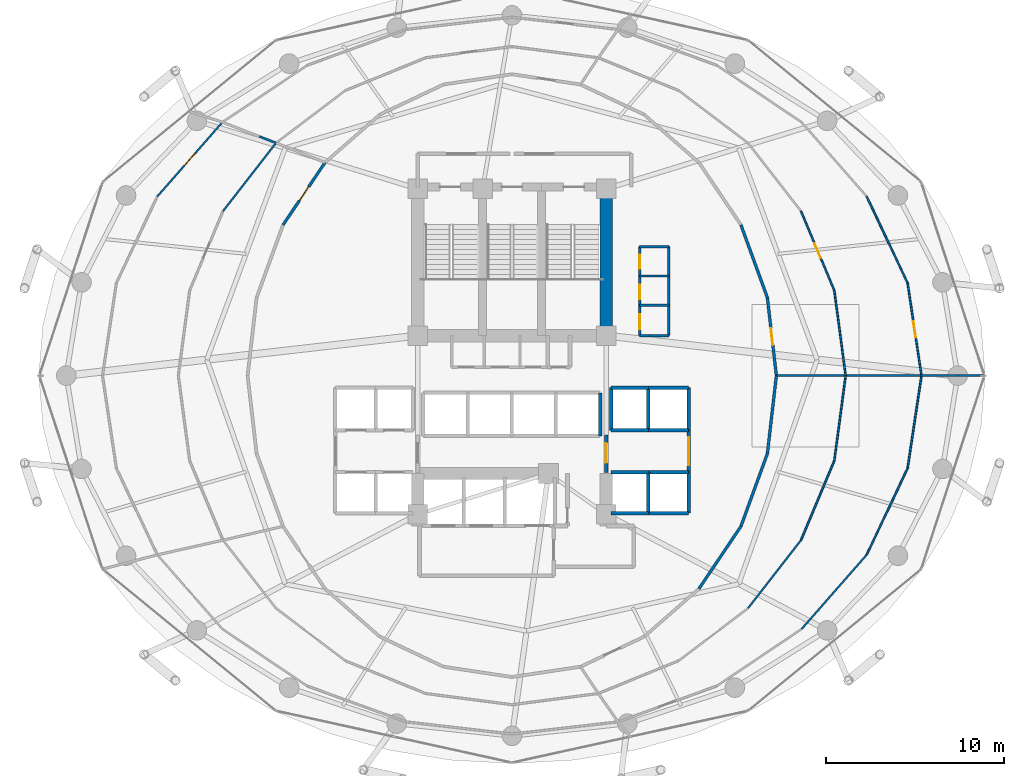
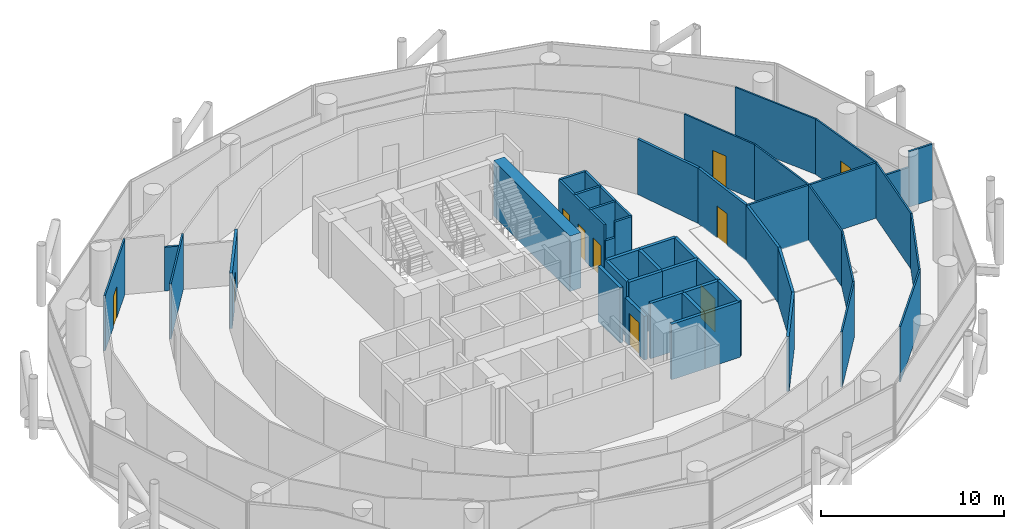
# One storey, part 23 of 27: 47 walls, 10 doors, 10 openings.
"""IFC4 building model written with IfcOpenShell, lengths in metres."""

from ifc_helpers import new_model, si_unit, direction, frame, frame_2d, origin, place, context, subcontext, project, spatial, rectangle, extrude, material, layer, layer_set, type_object, element, fill, save


model = new_model("IFC4")

# Units and contexts
model_context = context("Model", 3, precision=1e-05, world=origin(), true_north=direction((0.0, 1.0)))
body_context = subcontext(model_context, "Body", "Model", "MODEL_VIEW")
ifc_project = project(units=[si_unit("LENGTHUNIT", "METRE"), si_unit("AREAUNIT", "SQUARE_METRE"), si_unit("VOLUMEUNIT", "CUBIC_METRE"), si_unit("PLANEANGLEUNIT", "RADIAN"), si_unit("MASSUNIT", "GRAM", prefix="KILO")], contexts=[model_context])

# Site, building, storey
site_placement = place(None, origin())
site = spatial("IfcSite", under=ifc_project, at=site_placement, CompositionType="ELEMENT")
building_placement = place(site_placement, origin())
building = spatial("IfcBuilding", under=site, at=building_placement, Name="Nuhasar Tower", CompositionType="ELEMENT")
storey_placement = place(building_placement, frame((0.0, 0.0, 102.0)))
storey = spatial("IfcBuildingStorey", under=building, at=storey_placement, Name="L24", CompositionType="ELEMENT", Elevation=102.0)

# Wall
ifc_material_1 = material(Name="Concrete C65/80", Category="concrete")
ifc_layer_1 = layer(ifc_material_1, 0.699951171875)
ifc_layer_set_1 = layer_set([ifc_layer_1], Name="Concrete C65/80")
wall_type_1 = type_object("IfcWallType", Name="WL-CORE-700", PredefinedType="SHEAR", material=ifc_layer_set_1)
wall_1_placement = place(storey_placement, frame((44.300048828125, 29.050048828125, 0.0), z_axis=(0.0, 0.0, 1.0), x_axis=(0.0, 1.0, 0.0)))
element("IfcWall", 1, at=wall_1_placement, inside=storey, type_object=wall_type_1, Name="L24 Core Shear Wall CW-NE CW-700", PredefinedType="SHEAR", context=body_context, shape_type="SweptSolid", body=[
    extrude(rectangle(XDim=8.349853515625, YDim=0.699951171875, at=frame_2d((4.1748046875, 0.0))), origin(), (0.0, 0.0, 1.0), 3.699951171875),
])

# Wall, opening, door
ifc_material_2 = material(Name="Gypsum Board", Category="gypsum")
ifc_layer_2 = layer(ifc_material_2, 0.159912109375)
ifc_layer_set_2 = layer_set([ifc_layer_2], Name="Gypsum Board")
wall_type_2 = type_object("IfcWallType", Name="WL-CORR-160", PredefinedType="PARTITIONING", material=ifc_layer_set_2)
wall_2_placement = place(storey_placement, frame((53.35400390625, 31.18408203125, 0.0), z_axis=(0.0, 0.0, 1.0), x_axis=(0.114680801911, -0.993402392625, 0.0)))
wall_2 = element("IfcWall", 2, at=wall_2_placement, inside=storey, type_object=wall_type_2, Name="L24 Interior Partition CORR-00", PredefinedType="PARTITIONING", context=body_context, shape_type="SweptSolid", body=[
    extrude(rectangle(XDim=4.4130859375, YDim=0.159912109375, at=frame_2d((2.20654296875, 0.0))), origin(), (0.0, 0.0, 1.0), 3.699951171875),
])
opening_1_placement = place(wall_2_placement, frame((1.73193359375, 0.0, 0.0)))
opening_1 = element("IfcOpeningElement", 3, at=opening_1_placement, cuts=wall_2, Name="Opening DO-01", PredefinedType="OPENING", context=body_context, shape_type="SweptSolid", body=[
    extrude(rectangle(XDim=0.949951171875, YDim=2.14990234375, at=frame_2d((0.47509765625, 1.074951171875))), frame((0.0, 0.08984375, 0.0), z_axis=(0.0, -1.0, 0.0), x_axis=(1.0, 0.0, 0.0)), (0.0, 0.0, 1.0), 0.179931640625),
])
ifc_material_3 = material(Name="Timber Oak", Category="wood")
door_type_1 = type_object("IfcDoorType", Name="DR-OFFICE-FD30-950", OperationType="NOTDEFINED", PredefinedType="DOOR", material=ifc_material_3)
door_1_placement = place(opening_1_placement, origin())
door_1 = element("IfcDoor", 4, at=door_1_placement, inside=storey, type_object=door_type_1, Name="L24 Family Office 01 Entry Door", OperationType="SINGLE_SWING_LEFT", OverallHeight=2.14990234375, OverallWidth=0.949951171875, PredefinedType="DOOR", context=body_context, shape_type="SweptSolid", body=[
    extrude(rectangle(XDim=0.949951171875, YDim=2.14990234375, at=frame_2d((0.47509765625, 1.074951171875))), frame((0.0, 0.02490234375, 0.0), z_axis=(0.0, -1.0, 0.0), x_axis=(1.0, 0.0, 0.0)), (0.0, 0.0, 1.0), 0.050048828125),
])
fill(opening_1, door_1)

# Wall
wall_3_placement = place(storey_placement, frame((53.35400390625, 31.18408203125, 0.0), z_axis=(0.0, 0.0, 1.0), x_axis=(-0.341603281562, 0.939844241365, 0.0)))
element("IfcWall", 5, at=wall_3_placement, inside=storey, type_object=wall_type_2, Name="L24 Interior Partition CORR-02", PredefinedType="PARTITIONING", context=body_context, shape_type="SweptSolid", body=[
    extrude(rectangle(XDim=4.347412109375, YDim=0.159912109375, at=frame_2d((2.173828125, 0.0))), origin(), (0.0, 0.0, 1.0), 3.699951171875),
])

# Wall, opening, door
wall_4_placement = place(storey_placement, frame((26.131103515625, 35.27001953125, 0.0), z_axis=(0.0, 0.0, 1.0), x_axis=(0.558319056182, 0.829626320402, 0.0)))
wall_4 = element("IfcWall", 6, at=wall_4_placement, inside=storey, type_object=wall_type_2, Name="L24 Interior Partition CORR-18", PredefinedType="PARTITIONING", context=body_context, shape_type="SweptSolid", body=[
    extrude(rectangle(XDim=4.228515625, YDim=0.159912109375, at=frame_2d((2.1142578125, 0.0))), origin(), (0.0, 0.0, 1.0), 3.699951171875),
])
opening_2_placement = place(wall_4_placement, frame((1.638916015625, 0.0, 0.0)))
opening_2 = element("IfcOpeningElement", 7, at=opening_2_placement, cuts=wall_4, Name="Opening DO-01", PredefinedType="OPENING", context=body_context, shape_type="SweptSolid", body=[
    extrude(rectangle(XDim=0.949951171875, YDim=2.14990234375, at=frame_2d((0.47509765625, 1.074951171875))), frame((0.0, 0.08984375, 0.0), z_axis=(0.0, -1.0, 0.0), x_axis=(1.0, 0.0, 0.0)), (0.0, 0.0, 1.0), 0.179931640625),
])
door_2_placement = place(opening_2_placement, origin())
door_2 = element("IfcDoor", 8, at=door_2_placement, inside=storey, type_object=door_type_1, Name="L24 Private Art Gallery Shop Entry Door", OperationType="SINGLE_SWING_RIGHT", OverallHeight=2.14990234375, OverallWidth=0.949951171875, PredefinedType="DOOR", context=body_context, shape_type="SweptSolid", body=[
    extrude(rectangle(XDim=0.949951171875, YDim=2.14990234375, at=frame_2d((0.47509765625, 1.074951171875))), frame((0.0, 0.02490234375, 0.0), z_axis=(0.0, -1.0, 0.0), x_axis=(1.0, 0.0, 0.0)), (0.0, 0.0, 1.0), 0.050048828125),
])
fill(opening_2, door_2)

# Walls
wall_5_placement = place(storey_placement, frame((49.508056640625, 14.822021484375, 0.0), z_axis=(0.0, 0.0, 1.0), x_axis=(0.558319056182, 0.829626320402, 0.0)))
element("IfcWall", 9, at=wall_5_placement, inside=storey, type_object=wall_type_2, Name="L24 Interior Partition CORR-42", PredefinedType="PARTITIONING", context=body_context, shape_type="SweptSolid", body=[
    extrude(rectangle(XDim=4.228515625, YDim=0.159912109375, at=frame_2d((2.1142578125, 0.0))), origin(), (0.0, 0.0, 1.0), 3.699951171875),
])
wall_6_placement = place(storey_placement, frame((51.868896484375, 18.330078125, 0.0), z_axis=(0.0, 0.0, 1.0), x_axis=(0.341603281562, 0.939844241365, 0.0)))
element("IfcWall", 10, at=wall_6_placement, inside=storey, type_object=wall_type_2, Name="L24 Interior Partition CORR-44", PredefinedType="PARTITIONING", context=body_context, shape_type="SweptSolid", body=[
    extrude(rectangle(XDim=4.347412109375, YDim=0.159912109375, at=frame_2d((2.173828125, 0.0))), origin(), (0.0, 0.0, 1.0), 3.699951171875),
])
wall_7_placement = place(storey_placement, frame((53.35400390625, 22.416015625, 0.0), z_axis=(0.0, 0.0, 1.0), x_axis=(0.114680801911, 0.993402392625, 0.0)))
element("IfcWall", 11, at=wall_7_placement, inside=storey, type_object=wall_type_2, Name="L24 Interior Partition CORR-46", PredefinedType="PARTITIONING", context=body_context, shape_type="SweptSolid", body=[
    extrude(rectangle(XDim=4.4130859375, YDim=0.159912109375, at=frame_2d((2.20654296875, 0.0))), origin(), (0.0, 0.0, 1.0), 3.699951171875),
])

# Wall, opening, door
ifc_material_4 = material(Name="Concrete C45/55", Category="concrete")
ifc_layer_3 = layer(ifc_material_4, 0.199951171875)
ifc_layer_set_3 = layer_set([ifc_layer_3], Name="Concrete C45/55")
wall_type_3 = type_object("IfcWallType", Name="WL-LOBBY-200", PredefinedType="SOLIDWALL", material=ifc_layer_set_3)
wall_8_placement = place(storey_placement, frame((48.929931640625, 21.3798828125, 0.0), z_axis=(0.0, 0.0, 1.0), x_axis=(0.0, 1.0, 0.0)))
wall_8 = element("IfcWall", 12, at=wall_8_placement, inside=storey, type_object=wall_type_3, Name="L24 Interior Partition LLBM-E", PredefinedType="SOLIDWALL", context=body_context, shape_type="SweptSolid", body=[
    extrude(rectangle(XDim=2.340087890625, YDim=0.199951171875, at=frame_2d((1.169921875, 0.0))), origin(), (0.0, 0.0, 1.0), 3.699951171875),
])
opening_3_placement = place(wall_8_placement, frame((0.3701171875, 0.0, 0.0)))
opening_3 = element("IfcOpeningElement", 13, at=opening_3_placement, cuts=wall_8, Name="Opening DC-01", PredefinedType="OPENING", context=body_context, shape_type="SweptSolid", body=[
    extrude(rectangle(XDim=1.60009765625, YDim=2.199951171875, at=frame_2d((0.800048828125, 1.10009765625))), frame((0.0, 0.10986328125, 0.0), z_axis=(0.0, -1.0, 0.0), x_axis=(1.0, 0.0, 0.0)), (0.0, 0.0, 1.0), 0.219970703125),
])
ifc_material_5 = material(Name="Steel S355", Category="steel")
door_type_2 = type_object("IfcDoorType", Name="DR-CORR-FD60-1600", OperationType="DOUBLE_DOOR_SINGLE_SWING", PredefinedType="DOOR", material=ifc_material_5)
door_3_placement = place(opening_3_placement, origin())
door_3 = element("IfcDoor", 14, at=door_3_placement, inside=storey, type_object=door_type_2, Name="L24 Mid-Rise Lift Lobby East Entry", OperationType="DOUBLE_DOOR_SINGLE_SWING", OverallHeight=2.199951171875, OverallWidth=1.60009765625, PredefinedType="DOOR", context=body_context, shape_type="SweptSolid", body=[
    extrude(rectangle(XDim=1.60009765625, YDim=2.199951171875, at=frame_2d((0.800048828125, 1.10009765625))), frame((0.0, 0.02490234375, 0.0), z_axis=(0.0, -1.0, 0.0), x_axis=(1.0, 0.0, 0.0)), (0.0, 0.0, 1.0), 0.050048828125),
])
fill(opening_3, door_3)

wall_9_placement = place(storey_placement, frame((44.300048828125, 21.35009765625, 0.0), z_axis=(0.0, 0.0, 1.0), x_axis=(0.0, 1.0, 0.0)))
wall_9 = element("IfcWall", 15, at=wall_9_placement, inside=storey, type_object=wall_type_3, Name="L24 Interior Partition LLBH-E", PredefinedType="SOLIDWALL", context=body_context, shape_type="SweptSolid", body=[
    extrude(rectangle(XDim=2.099853515625, YDim=0.199951171875, at=frame_2d((1.0498046875, 0.0))), origin(), (0.0, 0.0, 1.0), 2.919921875),
])
opening_4_placement = place(wall_9_placement, frame((0.550048828125, 0.0, 0.0)))
opening_4 = element("IfcOpeningElement", 16, at=opening_4_placement, cuts=wall_9, Name="Opening DS-02", PredefinedType="OPENING", context=body_context, shape_type="SweptSolid", body=[
    extrude(rectangle(XDim=1.10009765625, YDim=2.14990234375, at=frame_2d((0.550048828125, 1.074951171875))), frame((0.0, 0.10986328125, 0.0), z_axis=(0.0, -1.0, 0.0), x_axis=(1.0, 0.0, 0.0)), (0.0, 0.0, 1.0), 0.219970703125),
])
door_type_3 = type_object("IfcDoorType", Name="DR-FFL-FD120-1100", OperationType="NOTDEFINED", PredefinedType="DOOR", material=ifc_material_5)
door_4_placement = place(opening_4_placement, origin())
door_4 = element("IfcDoor", 17, at=door_4_placement, inside=storey, type_object=door_type_3, Name="L24 High-Rise Lobby East Door", OperationType="SINGLE_SWING_RIGHT", OverallHeight=2.14990234375, OverallWidth=1.10009765625, PredefinedType="DOOR", context=body_context, shape_type="SweptSolid", body=[
    extrude(rectangle(XDim=1.10009765625, YDim=2.14990234375, at=frame_2d((0.550048828125, 1.074951171875))), frame((0.0, 0.02490234375, 0.0), z_axis=(0.0, -1.0, 0.0), x_axis=(1.0, 0.0, 0.0)), (0.0, 0.0, 1.0), 0.050048828125),
])
fill(opening_4, door_4)

# Wall
ifc_material_6 = material(Name="Aluminium 6063-T6", Category="aluminium")
ifc_layer_4 = layer(ifc_material_6, 0.10009765625)
ifc_layer_set_4 = layer_set([ifc_layer_4], Name="Aluminium 6063-T6")
wall_type_4 = type_object("IfcWallType", Name="WL-MOVABLE-100", PredefinedType="MOVABLE", material=ifc_layer_set_4)
wall_10_placement = place(storey_placement, frame((57.7548828125, 26.800048828125, 0.0), z_axis=(0.0, 0.0, 1.0), x_axis=(-0.132299485803, 0.991209789125, 0.0)))
element("IfcWall", 18, at=wall_10_placement, inside=storey, type_object=wall_type_4, Name="L24 Interior Partition OR1-01-00", PredefinedType="MOVABLE", context=body_context, shape_type="SweptSolid", body=[
    extrude(rectangle(XDim=4.829345703125, YDim=0.10009765625, at=frame_2d((2.41455078125, 0.0))), origin(), (0.0, 0.0, 1.0), 3.699951171875),
])

# Wall, opening, door
wall_11_placement = place(storey_placement, frame((57.115966796875, 31.5869140625, 0.0), z_axis=(0.0, 0.0, 1.0), x_axis=(-0.387289954907, 0.921957965869, 0.0)))
wall_11 = element("IfcWall", 19, at=wall_11_placement, inside=storey, type_object=wall_type_4, Name="L24 Interior Partition OR1-01-02", PredefinedType="MOVABLE", context=body_context, shape_type="SweptSolid", body=[
    extrude(rectangle(XDim=4.8388671875, YDim=0.10009765625, at=frame_2d((2.41943359375, 0.0))), origin(), (0.0, 0.0, 1.0), 3.699951171875),
])
opening_5_placement = place(wall_11_placement, frame((1.968994140625, 0.0, 0.0)))
opening_5 = element("IfcOpeningElement", 20, at=opening_5_placement, cuts=wall_11, Name="Opening DR-01", PredefinedType="OPENING", context=body_context, shape_type="SweptSolid", body=[
    extrude(rectangle(XDim=0.89990234375, YDim=2.10009765625, at=frame_2d((0.449951171875, 1.050048828125))), frame((0.0, 0.06005859375, 0.0), z_axis=(0.0, -1.0, 0.0), x_axis=(1.0, 0.0, 0.0)), (0.0, 0.0, 1.0), 0.1201171875),
])
door_type_4 = type_object("IfcDoorType", Name="DR-ROOM-900", OperationType="NOTDEFINED", PredefinedType="DOOR", material=ifc_material_3)
door_5_placement = place(opening_5_placement, origin())
door_5 = element("IfcDoor", 21, at=door_5_placement, inside=storey, type_object=door_type_4, Name="L24 Family Office 01 Mid Door", OperationType="SINGLE_SWING_LEFT", OverallHeight=2.10009765625, OverallWidth=0.89990234375, PredefinedType="DOOR", context=body_context, shape_type="SweptSolid", body=[
    extrude(rectangle(XDim=0.89990234375, YDim=2.10009765625, at=frame_2d((0.449951171875, 1.050048828125))), frame((0.0, 0.02490234375, 0.0), z_axis=(0.0, -1.0, 0.0), x_axis=(1.0, 0.0, 0.0)), (0.0, 0.0, 1.0), 0.050048828125),
])
fill(opening_5, door_5)

wall_12_placement = place(storey_placement, frame((62.01806640625, 26.800048828125, 0.0), z_axis=(0.0, 0.0, 1.0), x_axis=(-0.148729896957, 0.988877857853, 0.0)))
wall_12 = element("IfcWall", 22, at=wall_12_placement, inside=storey, type_object=wall_type_4, Name="L24 Interior Partition OR2-01-00", PredefinedType="MOVABLE", context=body_context, shape_type="SweptSolid", body=[
    extrude(rectangle(XDim=5.2724609375, YDim=0.10009765625, at=frame_2d((2.63623046875, 0.0))), origin(), (0.0, 0.0, 1.0), 3.699951171875),
])
opening_6_placement = place(wall_12_placement, frame((2.18603515625, 0.0, 0.0)))
opening_6 = element("IfcOpeningElement", 23, at=opening_6_placement, cuts=wall_12, Name="Opening DR-01", PredefinedType="OPENING", context=body_context, shape_type="SweptSolid", body=[
    extrude(rectangle(XDim=0.89990234375, YDim=2.10009765625, at=frame_2d((0.449951171875, 1.050048828125))), frame((0.0, 0.06005859375, 0.0), z_axis=(0.0, -1.0, 0.0), x_axis=(1.0, 0.0, 0.0)), (0.0, 0.0, 1.0), 0.1201171875),
])
door_6_placement = place(opening_6_placement, origin())
door_6 = element("IfcDoor", 24, at=door_6_placement, inside=storey, type_object=door_type_4, Name="L24 Family Office 01 Outer Door", OperationType="SINGLE_SWING_LEFT", OverallHeight=2.10009765625, OverallWidth=0.89990234375, PredefinedType="DOOR", context=body_context, shape_type="SweptSolid", body=[
    extrude(rectangle(XDim=0.89990234375, YDim=2.10009765625, at=frame_2d((0.449951171875, 1.050048828125))), frame((0.0, 0.02490234375, 0.0), z_axis=(0.0, -1.0, 0.0), x_axis=(1.0, 0.0, 0.0)), (0.0, 0.0, 1.0), 0.050048828125),
])
fill(opening_6, door_6)

# Walls
wall_13_placement = place(storey_placement, frame((61.23388671875, 32.013916015625, 0.0), z_axis=(0.0, 0.0, 1.0), x_axis=(-0.42779935224, 0.903873726924, 0.0)))
element("IfcWall", 25, at=wall_13_placement, inside=storey, type_object=wall_type_4, Name="L24 Interior Partition OR2-01-02", PredefinedType="MOVABLE", context=body_context, shape_type="SweptSolid", body=[
    extrude(rectangle(XDim=5.3759765625, YDim=0.10009765625, at=frame_2d((2.68798828125, 0.0))), origin(), (0.0, 0.0, 1.0), 3.699951171875),
])
wall_14_placement = place(storey_placement, frame((25.738037109375, 39.87890625, 0.0), z_axis=(0.0, 0.0, 1.0), x_axis=(-0.613999814684, -0.789306168459, 0.0)))
element("IfcWall", 26, at=wall_14_placement, inside=storey, type_object=wall_type_4, Name="L24 Interior Partition OR1-03-18", PredefinedType="MOVABLE", context=body_context, shape_type="SweptSolid", body=[
    extrude(rectangle(XDim=4.853271484375, YDim=0.10009765625, at=frame_2d((2.4267578125, 0.0))), origin(), (0.0, 0.0, 1.0), 3.699951171875),
])

# Wall, opening, door
wall_15_placement = place(storey_placement, frame((22.72412109375, 41.044921875, 0.0), z_axis=(0.0, 0.0, 1.0), x_axis=(-0.659301696391, -0.751878496258, 0.0)))
wall_15 = element("IfcWall", 27, at=wall_15_placement, inside=storey, type_object=wall_type_4, Name="L24 Interior Partition OR2-03-18", PredefinedType="MOVABLE", context=body_context, shape_type="SweptSolid", body=[
    extrude(rectangle(XDim=5.548583984375, YDim=0.10009765625, at=frame_2d((2.7744140625, 0.0))), origin(), (0.0, 0.0, 1.0), 3.699951171875),
])
opening_7_placement = place(wall_15_placement, frame((2.323974609375, 0.0, 0.0)))
opening_7 = element("IfcOpeningElement", 28, at=opening_7_placement, cuts=wall_15, Name="Opening DR-01", PredefinedType="OPENING", context=body_context, shape_type="SweptSolid", body=[
    extrude(rectangle(XDim=0.89990234375, YDim=2.10009765625, at=frame_2d((0.449951171875, 1.050048828125))), frame((0.0, 0.06005859375, 0.0), z_axis=(0.0, -1.0, 0.0), x_axis=(1.0, 0.0, 0.0)), (0.0, 0.0, 1.0), 0.1201171875),
])
door_7_placement = place(opening_7_placement, origin())
door_7 = element("IfcDoor", 29, at=door_7_placement, inside=storey, type_object=door_type_4, Name="L24 Private Art Gallery Shop Outer Door", OperationType="SINGLE_SWING_LEFT", OverallHeight=2.10009765625, OverallWidth=0.89990234375, PredefinedType="DOOR", context=body_context, shape_type="SweptSolid", body=[
    extrude(rectangle(XDim=0.89990234375, YDim=2.10009765625, at=frame_2d((0.449951171875, 1.050048828125))), frame((0.0, 0.02490234375, 0.0), z_axis=(0.0, -1.0, 0.0), x_axis=(1.0, 0.0, 0.0)), (0.0, 0.0, 1.0), 0.050048828125),
])
fill(opening_7, door_7)

# Walls
wall_16_placement = place(storey_placement, frame((52.261962890625, 13.720947265625, 0.0), z_axis=(0.0, 0.0, 1.0), x_axis=(0.613975436768, 0.789325131391, 0.0)))
element("IfcWall", 30, at=wall_16_placement, inside=storey, type_object=wall_type_4, Name="L24 Interior Partition OR1-05-42", PredefinedType="MOVABLE", context=body_context, shape_type="SweptSolid", body=[
    extrude(rectangle(XDim=4.853515625, YDim=0.10009765625, at=frame_2d((2.4267578125, 0.0))), origin(), (0.0, 0.0, 1.0), 3.699951171875),
])
wall_17_placement = place(storey_placement, frame((55.241943359375, 17.552001953125, 0.0), z_axis=(0.0, 0.0, 1.0), x_axis=(0.387307971266, 0.921950397469, 0.0)))
element("IfcWall", 31, at=wall_17_placement, inside=storey, type_object=wall_type_4, Name="L24 Interior Partition OR1-05-44", PredefinedType="MOVABLE", context=body_context, shape_type="SweptSolid", body=[
    extrude(rectangle(XDim=4.838623046875, YDim=0.10009765625, at=frame_2d((2.41943359375, 0.0))), origin(), (0.0, 0.0, 1.0), 3.699951171875),
])
wall_18_placement = place(storey_placement, frame((57.115966796875, 22.012939453125, 0.0), z_axis=(0.0, 0.0, 1.0), x_axis=(0.132292856672, 0.99121067391, 0.0)))
element("IfcWall", 32, at=wall_18_placement, inside=storey, type_object=wall_type_4, Name="L24 Interior Partition OR1-05-46", PredefinedType="MOVABLE", context=body_context, shape_type="SweptSolid", body=[
    extrude(rectangle(XDim=4.82958984375, YDim=0.10009765625, at=frame_2d((2.414794921875, 0.0))), origin(), (0.0, 0.0, 1.0), 3.699951171875),
])
wall_19_placement = place(storey_placement, frame((55.27587890625, 12.554931640625, 0.0), z_axis=(0.0, 0.0, 1.0), x_axis=(0.659279885197, 0.751897621338, 0.0)))
element("IfcWall", 33, at=wall_19_placement, inside=storey, type_object=wall_type_4, Name="L24 Interior Partition OR2-05-42", PredefinedType="MOVABLE", context=body_context, shape_type="SweptSolid", body=[
    extrude(rectangle(XDim=5.548828125, YDim=0.10009765625, at=frame_2d((2.7744140625, 0.0))), origin(), (0.0, 0.0, 1.0), 3.699951171875),
])
wall_20_placement = place(storey_placement, frame((58.93408203125, 16.72705078125, 0.0), z_axis=(0.0, 0.0, 1.0), x_axis=(0.427816913389, 0.903865415102, 0.0)))
element("IfcWall", 34, at=wall_20_placement, inside=storey, type_object=wall_type_4, Name="L24 Interior Partition OR2-05-44", PredefinedType="MOVABLE", context=body_context, shape_type="SweptSolid", body=[
    extrude(rectangle(XDim=5.375732421875, YDim=0.10009765625, at=frame_2d((2.68798828125, 0.0))), origin(), (0.0, 0.0, 1.0), 3.699951171875),
])
wall_21_placement = place(storey_placement, frame((61.23388671875, 21.5859375, 0.0), z_axis=(0.0, 0.0, 1.0), x_axis=(0.148723087006, 0.988878882064, 0.0)))
element("IfcWall", 35, at=wall_21_placement, inside=storey, type_object=wall_type_4, Name="L24 Interior Partition OR2-05-46", PredefinedType="MOVABLE", context=body_context, shape_type="SweptSolid", body=[
    extrude(rectangle(XDim=5.272705078125, YDim=0.10009765625, at=frame_2d((2.63623046875, 0.0))), origin(), (0.0, 0.0, 1.0), 3.699951171875),
])
ifc_layer_5 = layer(ifc_material_2, 0.125)
ifc_layer_set_5 = layer_set([ifc_layer_5], Name="Gypsum Board")
wall_type_5 = type_object("IfcWallType", Name="WL-PART-125", PredefinedType="PARTITIONING", material=ifc_layer_set_5)
wall_22_placement = place(storey_placement, frame((53.860107421875, 26.800048828125, 0.0), z_axis=(0.0, 0.0, 1.0), x_axis=(1.0, 0.0, 0.0)))
element("IfcWall", 36, at=wall_22_placement, inside=storey, type_object=wall_type_5, Name="L24 Interior Partition ORAD7-00-S1", PredefinedType="PARTITIONING", context=body_context, shape_type="SweptSolid", body=[
    extrude(rectangle(XDim=3.894775390625, YDim=0.125, at=frame_2d((1.947265625, 0.0))), origin(), (0.0, 0.0, 1.0), 3.699951171875),
])
wall_23_placement = place(storey_placement, frame((57.7548828125, 26.800048828125, 0.0), z_axis=(0.0, 0.0, 1.0), x_axis=(1.0, 0.0, 0.0)))
element("IfcWall", 37, at=wall_23_placement, inside=storey, type_object=wall_type_5, Name="L24 Interior Partition ORAD7-00-S2", PredefinedType="PARTITIONING", context=body_context, shape_type="SweptSolid", body=[
    extrude(rectangle(XDim=4.26318359375, YDim=0.125, at=frame_2d((2.131591796875, 0.0))), origin(), (0.0, 0.0, 1.0), 3.699951171875),
])
wall_24_placement = place(storey_placement, frame((62.01806640625, 26.800048828125, 0.0), z_axis=(0.0, 0.0, 1.0), x_axis=(1.0, 0.0, 0.0)))
element("IfcWall", 38, at=wall_24_placement, inside=storey, type_object=wall_type_5, Name="L24 Interior Partition ORAD7-00-S3", PredefinedType="PARTITIONING", context=body_context, shape_type="SweptSolid", body=[
    extrude(rectangle(XDim=2.038818359375, YDim=0.125, at=frame_2d((1.01953125, 0.0))), origin(), (0.0, 0.0, 1.0), 2.659912109375),
])
wall_25_placement = place(storey_placement, frame((64.056884765625, 26.800048828125, 0.0), z_axis=(0.0, 0.0, 1.0), x_axis=(1.0, 0.0, 0.0)))
element("IfcWall", 39, at=wall_25_placement, inside=storey, type_object=wall_type_5, Name="L24 Interior Partition ORAD7-00-S3", PredefinedType="PARTITIONING", context=body_context, shape_type="SweptSolid", body=[
    extrude(rectangle(XDim=1.468017578125, YDim=0.125, at=frame_2d((0.73388671875, 0.0))), origin(), (0.0, 0.0, 1.0), 3.699951171875),
])
wall_26_placement = place(storey_placement, frame((25.738037109375, 39.87890625, 0.0), z_axis=(0.0, 0.0, 1.0), x_axis=(-0.932693379072, 0.360670293531, 0.0)))
element("IfcWall", 40, at=wall_26_placement, inside=storey, type_object=wall_type_5, Name="L24 Interior Partition ORAD7-18-S2", PredefinedType="PARTITIONING", context=body_context, shape_type="SweptSolid", body=[
    extrude(rectangle(XDim=1.015380859375, YDim=0.125, at=frame_2d((0.5078125, 0.0))), origin(), (0.0, 0.0, 1.0), 2.919921875),
])
ifc_layer_6 = layer(ifc_material_4, 0.199951171875)
ifc_layer_set_6 = layer_set([ifc_layer_6], Name="Concrete C45/55")
wall_type_6 = type_object("IfcWallType", Name="WL-SHAFT-200", PredefinedType="SOLIDWALL", material=ifc_layer_set_6)
for number, where, z_axis, x_axis, name in (
    (41, (44.570068359375, 23.719970703125, 0.0), (0.0, 0.0, 1.0), (1.0, 0.0, 0.0), "L24 Interior Partition SHF-PL-M01-S"),
    (42, (44.570068359375, 26.1298828125, 0.0), (0.0, 0.0, 1.0), (1.0, 0.0, 0.0), "L24 Interior Partition SHF-PL-M01-N"),
):
    element("IfcWall", number, at=place(storey_placement, frame(where, z_axis=z_axis, x_axis=x_axis)), inside=storey, type_object=wall_type_6, Name=name, PredefinedType="SOLIDWALL", context=body_context, shape_type="SweptSolid", body=[
        extrude(rectangle(XDim=2.10986328125, YDim=0.199951171875, at=frame_2d((1.054931640625, 0.0))), origin(), (0.0, 0.0, 1.0), 3.699951171875),
    ])
for number, where, z_axis, x_axis, name in (
    (43, (44.570068359375, 23.719970703125, 0.0), (0.0, 0.0, 1.0), (0.0, 1.0, 0.0), "L24 Interior Partition SHF-PL-M01-W"),
    (44, (46.64990234375, 23.719970703125, 0.0), (0.0, 0.0, 1.0), (0.0, 1.0, 0.0), "L24 Interior Partition SHF-PL-M01-E"),
):
    element("IfcWall", number, at=place(storey_placement, frame(where, z_axis=z_axis, x_axis=x_axis)), inside=storey, type_object=wall_type_6, Name=name, PredefinedType="SOLIDWALL", context=body_context, shape_type="SweptSolid", body=[
        extrude(rectangle(XDim=2.409912109375, YDim=0.199951171875, at=frame_2d((1.205078125, 0.0))), origin(), (0.0, 0.0, 1.0), 3.699951171875),
    ])
for number, where, z_axis, x_axis, name in (
    (45, (46.6201171875, 23.719970703125, 0.0), (0.0, 0.0, 1.0), (1.0, 0.0, 0.0), "L24 Interior Partition SHF-PL-M02-S"),
    (46, (46.6201171875, 26.1298828125, 0.0), (0.0, 0.0, 1.0), (1.0, 0.0, 0.0), "L24 Interior Partition SHF-PL-M02-N"),
):
    element("IfcWall", number, at=place(storey_placement, frame(where, z_axis=z_axis, x_axis=x_axis)), inside=storey, type_object=wall_type_6, Name=name, PredefinedType="SOLIDWALL", context=body_context, shape_type="SweptSolid", body=[
        extrude(rectangle(XDim=2.309814453125, YDim=0.199951171875, at=frame_2d((1.15478515625, 0.0))), origin(), (0.0, 0.0, 1.0), 3.699951171875),
    ])
wall_27_placement = place(storey_placement, frame((48.929931640625, 23.719970703125, 0.0), z_axis=(0.0, 0.0, 1.0), x_axis=(0.0, 1.0, 0.0)))
element("IfcWall", 47, at=wall_27_placement, inside=storey, type_object=wall_type_6, Name="L24 Interior Partition SHF-PL-M02-E", PredefinedType="SOLIDWALL", context=body_context, shape_type="SweptSolid", body=[
    extrude(rectangle(XDim=2.409912109375, YDim=0.199951171875, at=frame_2d((1.205078125, 0.0))), origin(), (0.0, 0.0, 1.0), 3.699951171875),
])
for number, where, z_axis, x_axis, name in (
    (48, (44.570068359375, 19.070068359375, 0.0), (0.0, 0.0, 1.0), (1.0, 0.0, 0.0), "L24 Interior Partition SHF-PL-M03-S"),
    (49, (44.570068359375, 21.3798828125, 0.0), (0.0, 0.0, 1.0), (1.0, 0.0, 0.0), "L24 Interior Partition SHF-PL-M03-N"),
):
    element("IfcWall", number, at=place(storey_placement, frame(where, z_axis=z_axis, x_axis=x_axis)), inside=storey, type_object=wall_type_6, Name=name, PredefinedType="SOLIDWALL", context=body_context, shape_type="SweptSolid", body=[
        extrude(rectangle(XDim=2.10986328125, YDim=0.199951171875, at=frame_2d((1.054931640625, 0.0))), origin(), (0.0, 0.0, 1.0), 3.699951171875),
    ])
for number, where, z_axis, x_axis, name in (
    (50, (46.64990234375, 19.070068359375, 0.0), (0.0, 0.0, 1.0), (0.0, 1.0, 0.0), "L24 Interior Partition SHF-PL-M03-E"),
    (51, (46.6201171875, 19.070068359375, 0.0), (0.0, 0.0, 1.0), (1.0, 0.0, 0.0), "L24 Interior Partition SHF-PL-M04-S"),
    (52, (46.6201171875, 21.3798828125, 0.0), (0.0, 0.0, 1.0), (1.0, 0.0, 0.0), "L24 Interior Partition SHF-PL-M04-N"),
    (53, (48.929931640625, 19.070068359375, 0.0), (0.0, 0.0, 1.0), (0.0, 1.0, 0.0), "L24 Interior Partition SHF-PL-M04-E"),
):
    element("IfcWall", number, at=place(storey_placement, frame(where, z_axis=z_axis, x_axis=x_axis)), inside=storey, type_object=wall_type_6, Name=name, PredefinedType="SOLIDWALL", context=body_context, shape_type="SweptSolid", body=[
        extrude(rectangle(XDim=2.309814453125, YDim=0.199951171875, at=frame_2d((1.15478515625, 0.0))), origin(), (0.0, 0.0, 1.0), 3.699951171875),
    ])
wall_28_placement = place(storey_placement, frame((43.9599609375, 23.419921875, 0.0), z_axis=(0.0, 0.0, 1.0), x_axis=(0.0, 1.0, 0.0)))
element("IfcWall", 54, at=wall_28_placement, inside=storey, type_object=wall_type_6, Name="L24 Interior Partition SHF-PL-H04-E", PredefinedType="SOLIDWALL", context=body_context, shape_type="SweptSolid", body=[
    extrude(rectangle(XDim=2.41015625, YDim=0.199951171875, at=frame_2d((1.205078125, 0.0))), origin(), (0.0, 0.0, 1.0), 3.699951171875),
])

# Wall, openings, doors
ifc_material_7 = material(Name="Concrete C40/50 precast", Category="concrete")
ifc_layer_7 = layer(ifc_material_7, 0.139892578125)
ifc_layer_set_7 = layer_set([ifc_layer_7], Name="Concrete C40/50 precast")
wall_type_7 = type_object("IfcWallType", Name="WL-WET-140", PredefinedType="PARTITIONING", material=ifc_layer_set_7)
wall_29_placement = place(storey_placement, frame((46.179931640625, 34.050048828125, 0.0), z_axis=(0.0, 0.0, 1.0), x_axis=(0.0, -1.0, 0.0)))
wall_29 = element("IfcWall", 55, at=wall_29_placement, inside=storey, type_object=wall_type_7, Name="L24 Interior Partition K1-NE-W", PredefinedType="PARTITIONING", context=body_context, shape_type="SweptSolid", body=[
    extrude(rectangle(XDim=5.0, YDim=0.139892578125, at=frame_2d((2.5, 0.0))), origin(), (0.0, 0.0, 1.0), 3.699951171875),
])
opening_8_placement = place(wall_29_placement, frame((3.800048828125, 0.0, 0.0)))
opening_8 = element("IfcOpeningElement", 56, at=opening_8_placement, cuts=wall_29, Name="Opening DB-01", PredefinedType="OPENING", context=body_context, shape_type="SweptSolid", body=[
    extrude(rectangle(XDim=0.85009765625, YDim=2.10009765625, at=frame_2d((0.425048828125, 1.050048828125))), frame((0.0, 0.080078125, 0.0), z_axis=(0.0, -1.0, 0.0), x_axis=(1.0, 0.0, 0.0)), (0.0, 0.0, 1.0), 0.159912109375),
])
opening_9_placement = place(wall_29_placement, frame((2.14990234375, 0.0, 0.0)))
opening_9 = element("IfcOpeningElement", 57, at=opening_9_placement, cuts=wall_29, Name="Opening DM-01", PredefinedType="OPENING", context=body_context, shape_type="SweptSolid", body=[
    extrude(rectangle(XDim=0.800048828125, YDim=2.050048828125, at=frame_2d((0.39990234375, 1.02490234375))), frame((0.0, 0.080078125, 0.0), z_axis=(0.0, -1.0, 0.0), x_axis=(1.0, 0.0, 0.0)), (0.0, 0.0, 1.0), 0.159912109375),
])
opening_10_placement = place(wall_29_placement, frame((0.449951171875, 0.0, 0.0)))
opening_10 = element("IfcOpeningElement", 58, at=opening_10_placement, cuts=wall_29, Name="Opening DM-01", PredefinedType="OPENING", context=body_context, shape_type="SweptSolid", body=[
    extrude(rectangle(XDim=0.800048828125, YDim=2.050048828125, at=frame_2d((0.39990234375, 1.02490234375))), frame((0.0, 0.080078125, 0.0), z_axis=(0.0, -1.0, 0.0), x_axis=(1.0, 0.0, 0.0)), (0.0, 0.0, 1.0), 0.159912109375),
])
door_type_5 = type_object("IfcDoorType", Name="DR-BATH-850", OperationType="NOTDEFINED", PredefinedType="DOOR", material=ifc_material_3)
door_8_placement = place(opening_8_placement, origin())
door_8 = element("IfcDoor", 59, at=door_8_placement, inside=storey, type_object=door_type_5, Name="L24 NE Female WC Door", OperationType="SINGLE_SWING_RIGHT", OverallHeight=2.10009765625, OverallWidth=0.85009765625, PredefinedType="DOOR", context=body_context, shape_type="SweptSolid", body=[
    extrude(rectangle(XDim=0.85009765625, YDim=2.10009765625, at=frame_2d((0.425048828125, 1.050048828125))), frame((0.0, 0.02490234375, 0.0), z_axis=(0.0, -1.0, 0.0), x_axis=(1.0, 0.0, 0.0)), (0.0, 0.0, 1.0), 0.050048828125),
])
fill(opening_8, door_8)
door_type_6 = type_object("IfcDoorType", Name="DR-RISER-FD60-800", OperationType="NOTDEFINED", PredefinedType="DOOR", material=ifc_material_5)
door_9_placement = place(opening_9_placement, origin())
door_9 = element("IfcDoor", 60, at=door_9_placement, inside=storey, type_object=door_type_6, Name="L24 NE Meter Door", OperationType="SINGLE_SWING_RIGHT", OverallHeight=2.050048828125, OverallWidth=0.800048828125, PredefinedType="DOOR", context=body_context, shape_type="SweptSolid", body=[
    extrude(rectangle(XDim=0.800048828125, YDim=2.050048828125, at=frame_2d((0.39990234375, 1.02490234375))), frame((0.0, 0.02490234375, 0.0), z_axis=(0.0, -1.0, 0.0), x_axis=(1.0, 0.0, 0.0)), (0.0, 0.0, 1.0), 0.050048828125),
])
fill(opening_9, door_9)
door_10_placement = place(opening_10_placement, origin())
door_10 = element("IfcDoor", 61, at=door_10_placement, inside=storey, type_object=door_type_6, Name="L24 NE Telecom Door", OperationType="SINGLE_SWING_LEFT", OverallHeight=2.050048828125, OverallWidth=0.800048828125, PredefinedType="DOOR", context=body_context, shape_type="SweptSolid", body=[
    extrude(rectangle(XDim=0.800048828125, YDim=2.050048828125, at=frame_2d((0.39990234375, 1.02490234375))), frame((0.0, 0.02490234375, 0.0), z_axis=(0.0, -1.0, 0.0), x_axis=(1.0, 0.0, 0.0)), (0.0, 0.0, 1.0), 0.050048828125),
])
fill(opening_10, door_10)

# Walls
wall_30_placement = place(storey_placement, frame((46.179931640625, 29.050048828125, 0.0), z_axis=(0.0, 0.0, 1.0), x_axis=(1.0, 0.0, 0.0)))
element("IfcWall", 62, at=wall_30_placement, inside=storey, type_object=wall_type_7, Name="L24 Interior Partition K1-NE-S", PredefinedType="PARTITIONING", context=body_context, shape_type="SweptSolid", body=[
    extrude(rectangle(XDim=0.590087890625, YDim=0.139892578125, at=frame_2d((0.294921875, 0.0))), origin(), (0.0, 0.0, 1.0), 2.659912109375),
])
wall_31_placement = place(storey_placement, frame((46.77001953125, 29.050048828125, 0.0), z_axis=(0.0, 0.0, 1.0), x_axis=(1.0, 0.0, 0.0)))
element("IfcWall", 63, at=wall_31_placement, inside=storey, type_object=wall_type_7, Name="L24 Interior Partition K1-NE-S", PredefinedType="PARTITIONING", context=body_context, shape_type="SweptSolid", body=[
    extrude(rectangle(XDim=1.050048828125, YDim=0.139892578125, at=frame_2d((0.52490234375, 0.0))), origin(), (0.0, 0.0, 1.0), 3.699951171875),
])
for number, where, z_axis, x_axis, name in (
    (64, (46.179931640625, 30.75, 0.0), (0.0, 0.0, 1.0), (1.0, 0.0, 0.0), "L24 Interior Partition K1-NE-M1"),
    (65, (46.179931640625, 32.39990234375, 0.0), (0.0, 0.0, 1.0), (1.0, 0.0, 0.0), "L24 Interior Partition K1-NE-M2"),
    (66, (46.179931640625, 34.050048828125, 0.0), (0.0, 0.0, 1.0), (1.0, 0.0, 0.0), "L24 Interior Partition K1-NE-N"),
):
    element("IfcWall", number, at=place(storey_placement, frame(where, z_axis=z_axis, x_axis=x_axis)), inside=storey, type_object=wall_type_7, Name=name, PredefinedType="PARTITIONING", context=body_context, shape_type="SweptSolid", body=[
        extrude(rectangle(XDim=1.64013671875, YDim=0.139892578125, at=frame_2d((0.820068359375, 0.0))), origin(), (0.0, 0.0, 1.0), 3.699951171875),
    ])
wall_32_placement = place(storey_placement, frame((47.820068359375, 29.050048828125, 0.0), z_axis=(0.0, 0.0, 1.0), x_axis=(0.0, 1.0, 0.0)))
element("IfcWall", 67, at=wall_32_placement, inside=storey, type_object=wall_type_7, Name="L24 Interior Partition K1-NE-E", PredefinedType="PARTITIONING", context=body_context, shape_type="SweptSolid", body=[
    extrude(rectangle(XDim=5.0, YDim=0.139892578125, at=frame_2d((2.5, 0.0))), origin(), (0.0, 0.0, 1.0), 3.699951171875),
])

save(model, "model.ifc")
